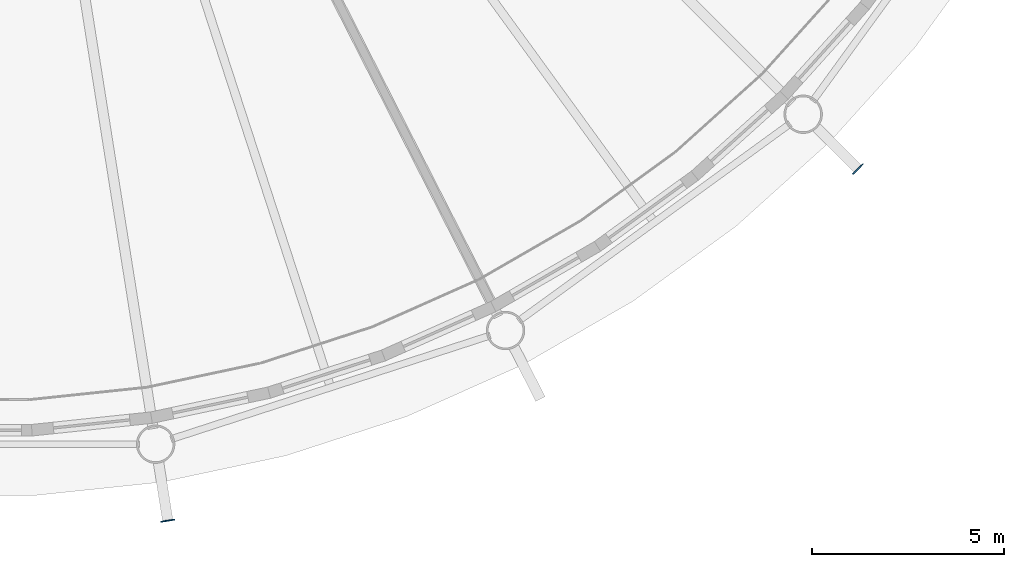
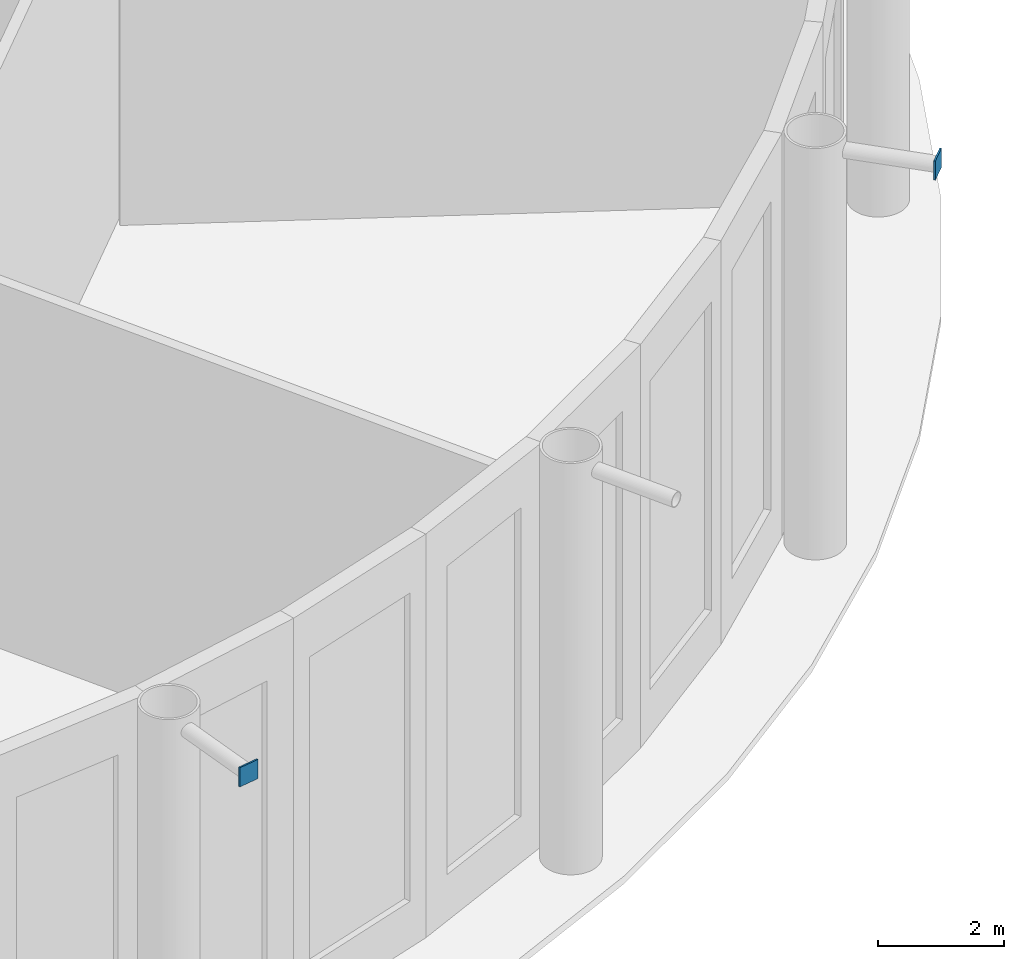
# One storey, part 11 of 17: 2 discrete accessories.
"""IFC4 building model written with IfcOpenShell, lengths in metres."""

from ifc_helpers import new_model, si_unit, direction, frame, origin, origin_2d, place, context, subcontext, project, spatial, rectangle, extrude, material, element, save


model = new_model("IFC4")

# Units and contexts
model_context = context("Model", 3, precision=1e-05, world=origin(), true_north=direction((0.0, 1.0)))
body_context = subcontext(model_context, "Body", "Model", "MODEL_VIEW")
ifc_project = project(units=[si_unit("LENGTHUNIT", "METRE"), si_unit("AREAUNIT", "SQUARE_METRE"), si_unit("VOLUMEUNIT", "CUBIC_METRE"), si_unit("PLANEANGLEUNIT", "RADIAN"), si_unit("MASSUNIT", "GRAM", prefix="KILO")], contexts=[model_context])

# Site, building, storey
site_placement = place(None, origin())
site = spatial("IfcSite", under=ifc_project, at=site_placement, CompositionType="ELEMENT")
building_placement = place(site_placement, origin())
building = spatial("IfcBuilding", under=site, at=building_placement, Name="Entoto Ring Tower", CompositionType="ELEMENT")
storey_placement = place(building_placement, frame((0.0, 0.0, 407.0)))
storey = spatial("IfcBuildingStorey", under=building, at=storey_placement, Name="L93", CompositionType="ELEMENT", Elevation=407.0)

# Discrete accessories
ifc_material = material(Name="Steel S355", Category="steel")
for number, where, z_axis, x_axis, name in (
    (1, (95.10205078125, 47.78662109375, 7.52685546875), (0.0, 0.0, 1.0), (0.15643446504, -0.987688340595, 0.0), "Node strut end plate DS2 ring 30 16"),
    (2, (113.062255859375, 56.937744140625, 7.52685546875), (0.0, 0.0, 1.0), (0.707106781187, -0.707106781187, 0.0), "Node strut end plate DS2 ring 30 18"),
):
    element("IfcDiscreteAccessory", number, at=place(storey_placement, frame(where, z_axis=z_axis, x_axis=x_axis)), inside=storey, material=ifc_material, Name=name, PredefinedType="BRACKET", context=body_context, shape_type="SweptSolid", body=[
        extrude(rectangle(XDim=0.030029296875, YDim=0.373046875, at=origin_2d()), origin(), (0.0, 0.0, 1.0), 0.373046875),
    ])

save(model, "model.ifc")
